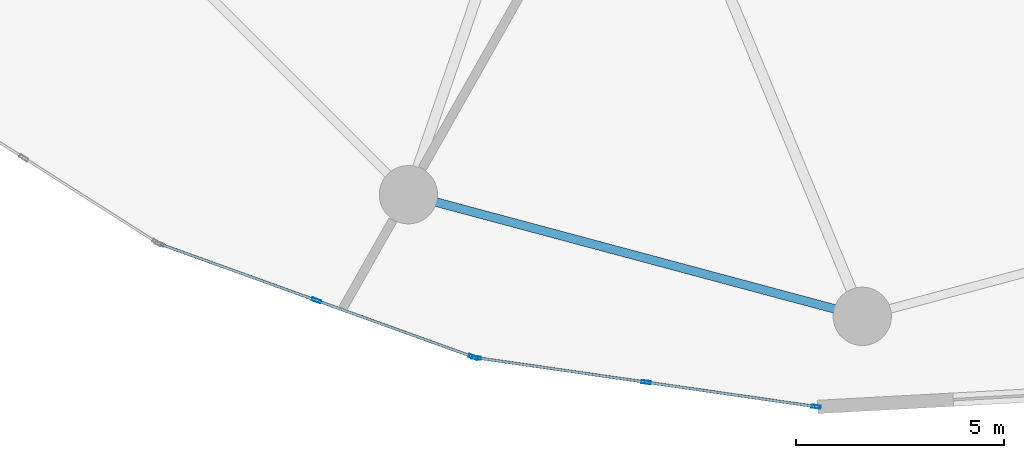
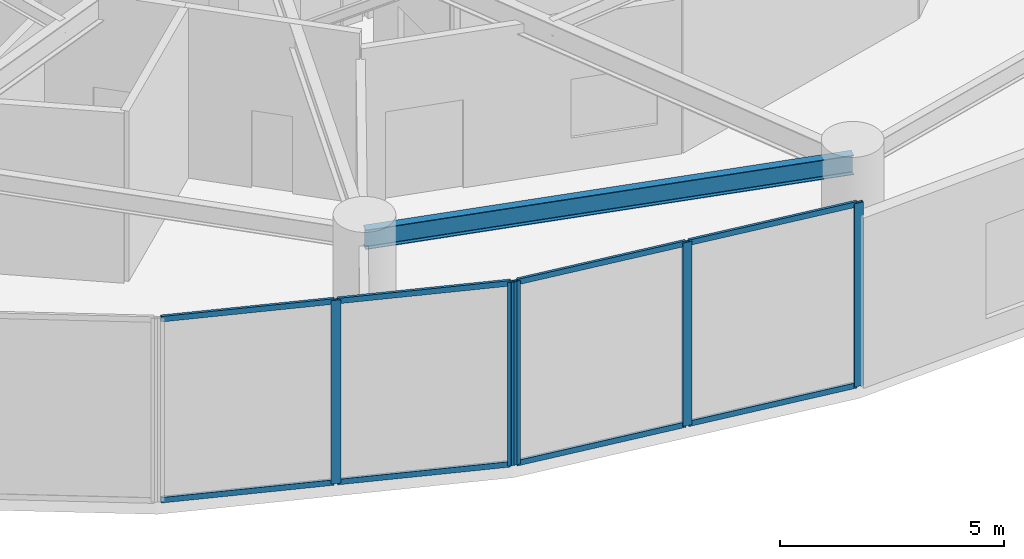
# One storey, part 5 of 31: 13 members, 1 beam, 2 elements without a shape of their own.
"""IFC4 building model written with IfcOpenShell, lengths in metres."""

from ifc_helpers import new_model, si_unit, direction, frame, origin, origin_2d, place, context, subcontext, project, spatial, hollow_rectangle, i_section, extrude, source, transform, mapped, material, layer, layer_set, material_profile, profile_set, type_object, element, aggregate, save


model = new_model("IFC4")

# Units and contexts
model_context = context("Model", 3, precision=1e-05, world=origin(), true_north=direction((0.0, 1.0)))
body_context = subcontext(model_context, "Body", "Model", "MODEL_VIEW")
ifc_project = project(units=[si_unit("LENGTHUNIT", "METRE"), si_unit("AREAUNIT", "SQUARE_METRE"), si_unit("VOLUMEUNIT", "CUBIC_METRE"), si_unit("PLANEANGLEUNIT", "RADIAN"), si_unit("MASSUNIT", "GRAM", prefix="KILO")], contexts=[model_context])

# Site, building, storey
site_placement = place(None, origin())
site = spatial("IfcSite", under=ifc_project, at=site_placement, CompositionType="ELEMENT")
building_placement = place(site_placement, origin())
building = spatial("IfcBuilding", under=site, at=building_placement, Name="Solvirekh Grand Hotel", CompositionType="ELEMENT")
storey_placement = place(building_placement, frame((0.0, 0.0, 18.60009765625)))
storey = spatial("IfcBuildingStorey", under=building, at=storey_placement, Name="L03", CompositionType="ELEMENT", Elevation=18.60009765625)

# Beam
ifc_material_1 = material(Name="Steel S355", Category="steel")
ifc_material_profile_1 = material_profile(ifc_material_1, i_section(OverallWidth=0.208984375, OverallDepth=0.532958984375, WebThickness=0.010009765625, FlangeThickness=0.014892578125, FilletRadius=0.013916015625, at=origin_2d()), Name="W530X92")
ifc_profile_set_1 = profile_set([ifc_material_profile_1], Name="Steel S355")
beam_type = type_object("IfcBeamType", Name="Spandrel_Ring_W530", PredefinedType="SPANDREL", material=ifc_profile_set_1)
beam_placement = place(storey_placement, frame((-10.89990234375, -18.87890625, 4.372802734375), z_axis=(0.965914248703, -0.258862249378, 0.0), x_axis=(0.258862249378, 0.965914248703, 0.0)))
element("IfcBeam", 1, at=beam_placement, inside=storey, type_object=beam_type, Name="L03 perimeter spandrel beam 9", PredefinedType="SPANDREL", context=body_context, shape_type="SweptSolid", body=[
    extrude(i_section(OverallWidth=0.208984375, OverallDepth=0.532958984375, WebThickness=0.010009765625, FlangeThickness=0.014892578125, FilletRadius=0.013916015625, at=origin_2d()), origin(), (0.0, 0.0, 1.0), 11.284423828125),
])

# Curtain wall, members
ifc_material_2 = material(Name="Anodized Bronze Aluminium 6063-T6", Category="aluminium")
ifc_layer = layer(ifc_material_2, 0.219970703125)
ifc_layer_set = layer_set([ifc_layer], Name="Anodized Bronze Aluminium 6063-T6")
curtain_wall_type = type_object("IfcCurtainWallType", Name="CW_Sys1_PodiumBronzeUnitised", PredefinedType="NOTDEFINED", material=ifc_layer_set)
curtain_wall_1_placement = place(storey_placement, origin())
curtain_wall_1 = element("IfcCurtainWall", 2, at=curtain_wall_1_placement, inside=storey, type_object=curtain_wall_type, Name="L03 unitised bronze-glass curtain wall CW-L03-C17", PredefinedType="NOTDEFINED")
ifc_material_profile_2 = material_profile(ifc_material_2, hollow_rectangle(XDim=0.06494140625, YDim=0.14990234375, WallThickness=0.0048828125, at=origin_2d()), Name="ALU RHS 150X65X5")
ifc_profile_set_2 = profile_set([ifc_material_profile_2], Name="Anodized Bronze Aluminium 6063-T6")
member_type_1 = type_object("IfcMemberType", Name="CWTransom_Sys1", PredefinedType="USERDEFINED", material=ifc_profile_set_2)
shared_shape_1 = source(origin(), body_context, "Body", "SweptSolid", [
    extrude(hollow_rectangle(XDim=0.06494140625, YDim=0.14990234375, WallThickness=0.0048828125, at=origin_2d()), origin(), (0.0, 0.0, 1.0), 3.928466796875),
])
member_1_placement = place(storey_placement, frame((-16.841552734375, -20.074462890625, 0.032470703125), z_axis=(0.94078199805, -0.339012141588, 0.0), x_axis=(0.339012141588, 0.94078199805, 0.0)))
member_1 = element("IfcMember", 3, at=member_1_placement, type_object=member_type_1, Name="U01 transom 1.1", ObjectType="TRANSOM", PredefinedType="USERDEFINED", context=body_context, shape_type="MappedRepresentation", body=[
    mapped(shared_shape_1, transform((0.0, 0.0, 0.0), x_axis=(1.0, 0.0, 0.0), y_axis=(0.0, 1.0, 0.0), z_axis=(0.0, 0.0, 1.0), scale=1.0)),
])
member_2_placement = place(storey_placement, frame((-16.841552734375, -20.074462890625, 4.96728515625), z_axis=(0.94078199805, -0.339012141588, 0.0), x_axis=(0.339012141588, 0.94078199805, 0.0)))
member_2 = element("IfcMember", 4, at=member_2_placement, type_object=member_type_1, Name="U01 transom 1.2", ObjectType="TRANSOM", PredefinedType="USERDEFINED", context=body_context, shape_type="MappedRepresentation", body=[
    mapped(shared_shape_1, transform((0.0, 0.0, 0.0), x_axis=(1.0, 0.0, 0.0), y_axis=(0.0, 1.0, 0.0), z_axis=(0.0, 0.0, 1.0), scale=1.0)),
])

curtain_wall_2_placement = place(storey_placement, origin())
curtain_wall_2 = element("IfcCurtainWall", 5, at=curtain_wall_2_placement, inside=storey, type_object=curtain_wall_type, Name="L03 unitised bronze-glass curtain wall CW-L03-C18", PredefinedType="NOTDEFINED")
shared_shape_2 = source(origin(), body_context, "Body", "SweptSolid", [
    extrude(hollow_rectangle(XDim=0.06494140625, YDim=0.14990234375, WallThickness=0.0048828125, at=origin_2d()), origin(), (0.0, 0.0, 1.0), 4.048583984375),
])
member_3_placement = place(storey_placement, frame((-5.1533203125, -23.387939453125, 0.032470703125), z_axis=(0.989777503005, -0.142620105685, 0.0), x_axis=(0.142620105685, 0.989777503005, 0.0)))
member_3 = element("IfcMember", 6, at=member_3_placement, type_object=member_type_1, Name="U01 transom 2.1", ObjectType="TRANSOM", PredefinedType="USERDEFINED", context=body_context, shape_type="MappedRepresentation", body=[
    mapped(shared_shape_2, transform((0.0, 0.0, 0.0), x_axis=(1.0, 0.0, 0.0), y_axis=(0.0, 1.0, 0.0), z_axis=(0.0, 0.0, 1.0), scale=1.0)),
])
member_4_placement = place(storey_placement, frame((-5.1533203125, -23.387939453125, 4.96728515625), z_axis=(0.989777503005, -0.142620105685, 0.0), x_axis=(0.142620105685, 0.989777503005, 0.0)))
member_4 = element("IfcMember", 7, at=member_4_placement, type_object=member_type_1, Name="U01 transom 2.2", ObjectType="TRANSOM", PredefinedType="USERDEFINED", context=body_context, shape_type="MappedRepresentation", body=[
    mapped(shared_shape_2, transform((0.0, 0.0, 0.0), x_axis=(1.0, 0.0, 0.0), y_axis=(0.0, 1.0, 0.0), z_axis=(0.0, 0.0, 1.0), scale=1.0)),
])

# Member
shared_shape_3 = source(origin(), body_context, "Body", "SweptSolid", [
    extrude(hollow_rectangle(XDim=0.06494140625, YDim=0.14990234375, WallThickness=0.0048828125, at=origin_2d()), origin(), (0.0, 0.0, 1.0), 3.92822265625),
])
member_5_placement = place(storey_placement, frame((-13.0751953125, -21.431640625, 0.032470703125), z_axis=(0.940755030591, -0.339086968812, 0.0), x_axis=(0.339086968812, 0.940755030591, 0.0)))
member_5 = element("IfcMember", 8, at=member_5_placement, type_object=member_type_1, Name="U01 transom 2.1", ObjectType="TRANSOM", PredefinedType="USERDEFINED", context=body_context, shape_type="MappedRepresentation", body=[
    mapped(shared_shape_3, transform((0.0, 0.0, 0.0), x_axis=(1.0, 0.0, 0.0), y_axis=(0.0, 1.0, 0.0), z_axis=(0.0, 0.0, 1.0), scale=1.0)),
])

member_6_placement = place(storey_placement, frame((-13.0751953125, -21.431640625, 4.96728515625), z_axis=(0.940755030591, -0.339086968812, 0.0), x_axis=(0.339086968812, 0.940755030591, 0.0)))
member_6 = element("IfcMember", 9, at=member_6_placement, type_object=member_type_1, Name="U01 transom 2.2", ObjectType="TRANSOM", PredefinedType="USERDEFINED", context=body_context, shape_type="MappedRepresentation", body=[
    mapped(shared_shape_3, transform((0.0, 0.0, 0.0), x_axis=(1.0, 0.0, 0.0), y_axis=(0.0, 1.0, 0.0), z_axis=(0.0, 0.0, 1.0), scale=1.0)),
])

shared_shape_4 = source(origin(), body_context, "Body", "SweptSolid", [
    extrude(hollow_rectangle(XDim=0.06494140625, YDim=0.14990234375, WallThickness=0.0048828125, at=origin_2d()), origin(), (0.0, 0.0, 1.0), 4.048828125),
])
member_7_placement = place(storey_placement, frame((-9.23486328125, -22.7998046875, 0.032470703125), z_axis=(0.989778729518, -0.142611593476, 0.0), x_axis=(0.142611593476, 0.989778729518, 0.0)))
member_7 = element("IfcMember", 10, at=member_7_placement, type_object=member_type_1, Name="U01 transom 1.1", ObjectType="TRANSOM", PredefinedType="USERDEFINED", context=body_context, shape_type="MappedRepresentation", body=[
    mapped(shared_shape_4, transform((0.0, 0.0, 0.0), x_axis=(1.0, 0.0, 0.0), y_axis=(0.0, 1.0, 0.0), z_axis=(0.0, 0.0, 1.0), scale=1.0)),
])

member_8_placement = place(storey_placement, frame((-9.23486328125, -22.7998046875, 4.96728515625), z_axis=(0.989778729518, -0.142611593476, 0.0), x_axis=(0.142611593476, 0.989778729518, 0.0)))
member_8 = element("IfcMember", 11, at=member_8_placement, type_object=member_type_1, Name="U01 transom 1.2", ObjectType="TRANSOM", PredefinedType="USERDEFINED", context=body_context, shape_type="MappedRepresentation", body=[
    mapped(shared_shape_4, transform((0.0, 0.0, 0.0), x_axis=(1.0, 0.0, 0.0), y_axis=(0.0, 1.0, 0.0), z_axis=(0.0, 0.0, 1.0), scale=1.0)),
])

ifc_material_profile_3 = material_profile(ifc_material_2, hollow_rectangle(XDim=0.074951171875, YDim=0.219970703125, WallThickness=0.006103515625, at=origin_2d()), Name="ALU RHS 220X75X6")
ifc_profile_set_3 = profile_set([ifc_material_profile_3], Name="Anodized Bronze Aluminium 6063-T6")
member_type_2 = type_object("IfcMemberType", Name="CWMullion_Sys1", PredefinedType="MULLION", material=ifc_profile_set_3)
shared_shape_5 = source(origin(), body_context, "Body", "SweptSolid", [
    extrude(hollow_rectangle(XDim=0.074951171875, YDim=0.219970703125, WallThickness=0.006103515625, at=origin_2d()), origin(), (0.0, 0.0, 1.0), 5.0),
])
member_9_placement = place(storey_placement, frame((-13.110595703125, -21.4189453125, 0.0), z_axis=(0.0, 0.0, 1.0), x_axis=(0.339039307019, 0.940772208505, 0.0)))
member_9 = element("IfcMember", 12, at=member_9_placement, type_object=member_type_2, Name="U01 mullion 2", PredefinedType="MULLION", context=body_context, shape_type="MappedRepresentation", body=[
    mapped(shared_shape_5, transform((0.0, 0.0, 0.0), x_axis=(1.0, 0.0, 0.0), y_axis=(0.0, 1.0, 0.0), z_axis=(0.0, 0.0, 1.0), scale=1.0)),
])

member_10_placement = place(storey_placement, frame((-9.34423828125, -22.7763671875, 0.0), z_axis=(0.0, 0.0, 1.0), x_axis=(0.339039307019, 0.940772208505, 0.0)))
member_10 = element("IfcMember", 13, at=member_10_placement, type_object=member_type_2, Name="U01 mullion 3", PredefinedType="MULLION", context=body_context, shape_type="MappedRepresentation", body=[
    mapped(shared_shape_5, transform((0.0, 0.0, 0.0), x_axis=(1.0, 0.0, 0.0), y_axis=(0.0, 1.0, 0.0), z_axis=(0.0, 0.0, 1.0), scale=1.0)),
])

aggregate(curtain_wall_1, [member_9, member_10, member_1, member_2, member_5, member_6])

member_11_placement = place(storey_placement, frame((-9.27197265625, -22.79443359375, 0.0), z_axis=(0.0, 0.0, 1.0), x_axis=(0.142632484965, 0.989775719157, 0.0)))
member_11 = element("IfcMember", 14, at=member_11_placement, type_object=member_type_2, Name="U01 mullion 1", PredefinedType="MULLION", context=body_context, shape_type="MappedRepresentation", body=[
    mapped(shared_shape_5, transform((0.0, 0.0, 0.0), x_axis=(1.0, 0.0, 0.0), y_axis=(0.0, 1.0, 0.0), z_axis=(0.0, 0.0, 1.0), scale=1.0)),
])

member_12_placement = place(storey_placement, frame((-5.1904296875, -23.382568359375, 0.0), z_axis=(0.0, 0.0, 1.0), x_axis=(0.142632484965, 0.989775719157, 0.0)))
member_12 = element("IfcMember", 15, at=member_12_placement, type_object=member_type_2, Name="U01 mullion 2", PredefinedType="MULLION", context=body_context, shape_type="MappedRepresentation", body=[
    mapped(shared_shape_5, transform((0.0, 0.0, 0.0), x_axis=(1.0, 0.0, 0.0), y_axis=(0.0, 1.0, 0.0), z_axis=(0.0, 0.0, 1.0), scale=1.0)),
])

member_13_placement = place(storey_placement, frame((-1.109130859375, -23.970703125, 0.0), z_axis=(0.0, 0.0, 1.0), x_axis=(0.142632484965, 0.989775719157, 0.0)))
member_13 = element("IfcMember", 16, at=member_13_placement, type_object=member_type_2, Name="U01 mullion 3", PredefinedType="MULLION", context=body_context, shape_type="MappedRepresentation", body=[
    mapped(shared_shape_5, transform((0.0, 0.0, 0.0), x_axis=(1.0, 0.0, 0.0), y_axis=(0.0, 1.0, 0.0), z_axis=(0.0, 0.0, 1.0), scale=1.0)),
])

aggregate(curtain_wall_2, [member_11, member_12, member_13, member_7, member_8, member_3, member_4])

save(model, "model.ifc")
